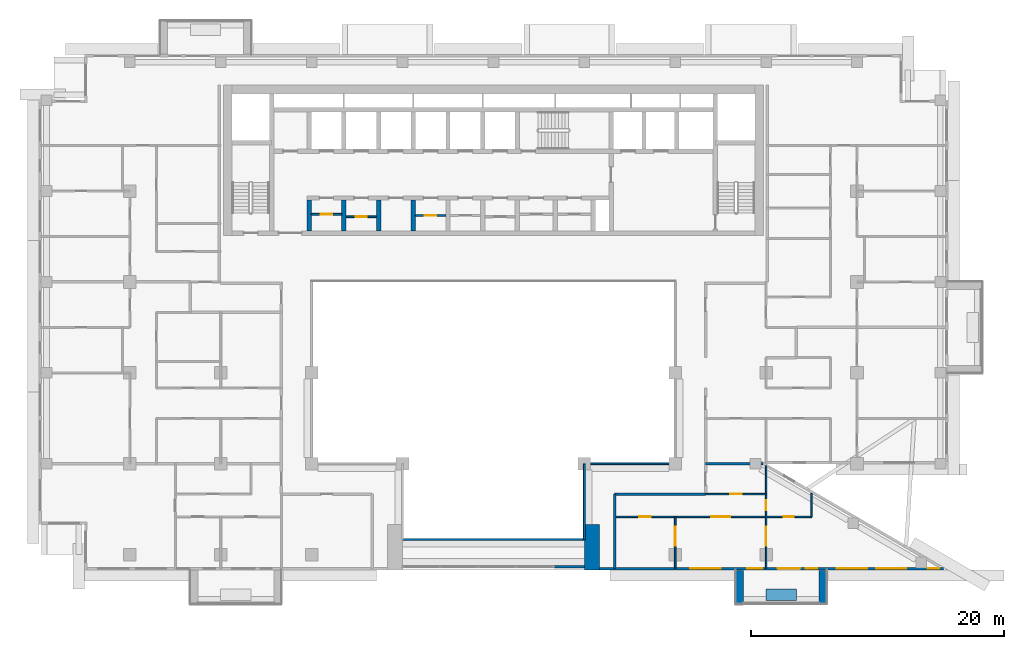
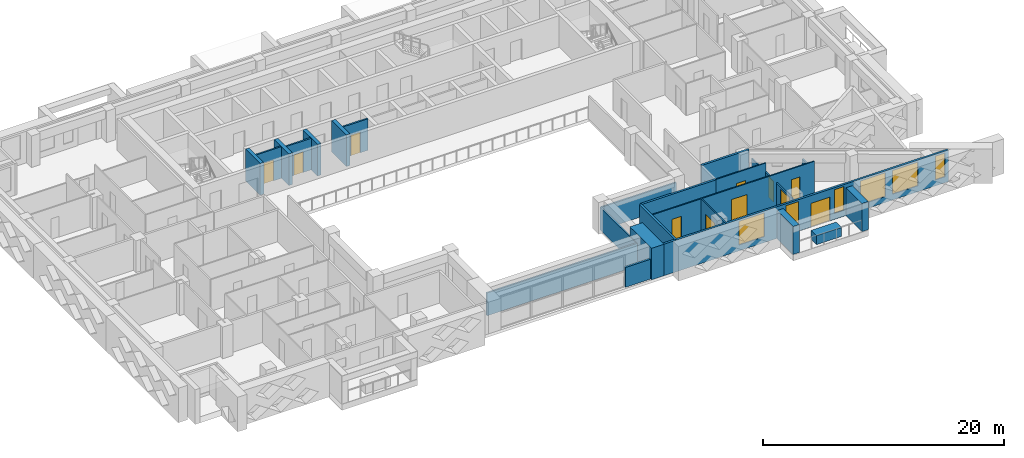
# One storey, part 8 of 20: 24 walls, 11 doors, 6 windows, 17 openings.
"""IFC4 building model written with IfcOpenShell, lengths in metres."""

from ifc_helpers import new_model, si_unit, direction, frame, frame_2d, origin, place, context, subcontext, project, spatial, rectangle, extrude, material, layer, layer_set, type_object, element, fill, save


model = new_model("IFC4")

# Units and contexts
model_context = context("Model", 3, precision=1e-05, world=origin(), true_north=direction((0.0, 1.0)))
body_context = subcontext(model_context, "Body", "Model", "MODEL_VIEW")
ifc_project = project(units=[si_unit("LENGTHUNIT", "METRE"), si_unit("AREAUNIT", "SQUARE_METRE"), si_unit("VOLUMEUNIT", "CUBIC_METRE"), si_unit("PLANEANGLEUNIT", "RADIAN"), si_unit("MASSUNIT", "GRAM", prefix="KILO")], contexts=[model_context])

# Site, building, storey
site_placement = place(None, origin())
site = spatial("IfcSite", under=ifc_project, at=site_placement, CompositionType="ELEMENT")
building_placement = place(site_placement, origin())
building = spatial("IfcBuilding", under=site, at=building_placement, Name="Saffron Iwan Residences", CompositionType="ELEMENT")
storey_placement = place(building_placement, frame((0.0, 0.0, 146.5)))
storey = spatial("IfcBuildingStorey", under=building, at=storey_placement, Name="L38", CompositionType="ELEMENT", Elevation=146.5)

# Walls
ifc_material_1 = material(Name="Fire-rated glazing", Category="glass")
ifc_layer_1 = layer(ifc_material_1, 0.14990234375)
ifc_layer_set_1 = layer_set([ifc_layer_1], Name="Fire-rated glazing")
wall_type_1 = type_object("IfcWallType", Name="Atrium glazed screen 150", PredefinedType="SOLIDWALL", material=ifc_layer_set_1)
wall_1_placement = place(storey_placement, frame((43.199951171875, 42.0, 0.0), z_axis=(0.0, 0.0, 1.0), x_axis=(1.0, 0.0, 0.0)))
element("IfcWall", 1, at=wall_1_placement, inside=storey, type_object=wall_type_1, Name="W-L38-SCREEN-h42-43.2", PredefinedType="SOLIDWALL", context=body_context, shape_type="SweptSolid", body=[
    extrude(rectangle(XDim=14.400146484375, YDim=0.14990234375, at=frame_2d((7.2001953125, 0.0))), origin(), (0.0, 0.0, 1.0), 2.300048828125),
])
wall_2_placement = place(storey_placement, frame((57.60009765625, 48.0, 0.0), z_axis=(0.0, 0.0, 1.0), x_axis=(1.0, 0.0, 0.0)))
element("IfcWall", 2, at=wall_2_placement, inside=storey, type_object=wall_type_1, Name="W-L38-SCREEN-h48-57.6", PredefinedType="SOLIDWALL", context=body_context, shape_type="SweptSolid", body=[
    extrude(rectangle(XDim=7.199951171875, YDim=0.14990234375, at=frame_2d((3.60009765625, 0.0))), origin(), (0.0, 0.0, 1.0), 2.300048828125),
])
wall_3_placement = place(storey_placement, frame((57.60009765625, 42.0, 0.0), z_axis=(0.0, 0.0, 1.0), x_axis=(0.0, 1.0, 0.0)))
element("IfcWall", 3, at=wall_3_placement, inside=storey, type_object=wall_type_1, Name="W-L38-SCREEN-v57.6-42", PredefinedType="SOLIDWALL", context=body_context, shape_type="SweptSolid", body=[
    extrude(rectangle(XDim=6.0, YDim=0.14990234375, at=frame_2d((3.0, 0.0))), origin(), (0.0, 0.0, 1.0), 2.300048828125),
])
ifc_material_2 = material(Name="Concrete C50/60 white painted", Category="concrete")
ifc_layer_2 = layer(ifc_material_2, 0.60009765625)
ifc_layer_set_2 = layer_set([ifc_layer_2], Name="Concrete C50/60 white painted")
wall_type_2 = type_object("IfcWallType", Name="BALCONY FIN 600", PredefinedType="SOLIDWALL", material=ifc_layer_set_2)
for number, where, z_axis, x_axis, name in (
    (4, (69.89990234375, 39.550048828125, 0.0), (0.0, 0.0, 1.0), (0.0, -1.0, 0.0), "Balcony fin L38 11-1a"),
    (5, (76.5, 39.550048828125, 0.0), (0.0, 0.0, 1.0), (0.0, -1.0, 0.0), "Balcony fin L38 11-1b"),
):
    element("IfcWall", number, at=place(storey_placement, frame(where, z_axis=z_axis, x_axis=x_axis)), inside=storey, type_object=wall_type_2, Name=name, PredefinedType="SOLIDWALL", context=body_context, shape_type="SweptSolid", body=[
        extrude(rectangle(XDim=2.650146484375, YDim=0.60009765625, at=frame_2d((1.3251953125, 0.0))), origin(), (0.0, 0.0, 1.0), 2.85009765625),
    ])
ifc_material_3 = material(Name="Concrete C35/45 white painted", Category="concrete")
ifc_layer_3 = layer(ifc_material_3, 0.14990234375)
ifc_layer_set_3 = layer_set([ifc_layer_3], Name="Concrete C35/45 white painted")
wall_type_3 = type_object("IfcWallType", Name="BALCONY PLANTER", PredefinedType="SOLIDWALL", material=ifc_layer_set_3)
wall_4_placement = place(storey_placement, frame((72.0, 37.625, 0.0), z_axis=(0.0, 0.0, 1.0), x_axis=(1.0, 0.0, 0.0)))
element("IfcWall", 6, at=wall_4_placement, inside=storey, type_object=wall_type_3, Name="PLANTER L38 11-1", PredefinedType="SOLIDWALL", context=body_context, shape_type="SweptSolid", body=[
    extrude(rectangle(XDim=2.39990234375, YDim=0.89990234375, at=frame_2d((1.199951171875, 0.0))), origin(), (0.0, 0.0, 1.0), 0.89990234375),
])

# Wall, opening, door
ifc_material_4 = material(Name="Fire-rated plasterboard partition")
ifc_layer_4 = layer(ifc_material_4, 0.14990234375)
ifc_layer_set_4 = layer_set([ifc_layer_4], Name="Fire-rated plasterboard partition")
wall_type_4 = type_object("IfcWallType", Name="Core partition 150", PredefinedType="PARTITIONING", material=ifc_layer_set_4)
wall_5_placement = place(storey_placement, frame((35.97509765625, 67.759521484375, 0.0), z_axis=(0.0, 0.0, 1.0), x_axis=(1.0, 0.0, 0.0)))
wall_5 = element("IfcWall", 7, at=wall_5_placement, inside=storey, type_object=wall_type_4, Name="Core partition P01", PredefinedType="PARTITIONING", context=body_context, shape_type="SweptSolid", body=[
    extrude(rectangle(XDim=2.39990234375, YDim=0.14990234375, at=frame_2d((1.199951171875, 0.0))), origin(), (0.0, 0.0, 1.0), 3.199951171875),
])
opening_1_placement = place(wall_5_placement, frame((0.75, 0.0, 0.0)))
opening_1 = element("IfcOpeningElement", 8, at=opening_1_placement, cuts=wall_5, Name="Opening SB", PredefinedType="OPENING", context=body_context, shape_type="SweptSolid", body=[
    extrude(rectangle(XDim=0.89990234375, YDim=2.10009765625, at=frame_2d((0.449951171875, 1.050048828125))), frame((0.0, 0.0849609375, 0.0), z_axis=(0.0, -1.0, 0.0), x_axis=(1.0, 0.0, 0.0)), (0.0, 0.0, 1.0), 0.169921875),
])
ifc_material_5 = material(Name="Steel fire door", Category="steel")
door_type_1 = type_object("IfcDoorType", Name="Store door 900", OperationType="NOTDEFINED", PredefinedType="DOOR", material=ifc_material_5)
door_1_placement = place(opening_1_placement, origin())
door_1 = element("IfcDoor", 9, at=door_1_placement, inside=storey, type_object=door_type_1, Name="Door Stationery store", OperationType="SINGLE_SWING_LEFT", OverallHeight=2.10009765625, OverallWidth=0.89990234375, PredefinedType="DOOR", context=body_context, shape_type="SweptSolid", body=[
    extrude(rectangle(XDim=0.89990234375, YDim=2.10009765625, at=frame_2d((0.449951171875, 1.050048828125))), frame((0.0, 0.02490234375, 0.0), z_axis=(0.0, -1.0, 0.0), x_axis=(1.0, 0.0, 0.0)), (0.0, 0.0, 1.0), 0.050048828125),
])
fill(opening_1, door_1)

wall_6_placement = place(storey_placement, frame((38.72509765625, 67.5654296875, 0.0), z_axis=(0.0, 0.0, 1.0), x_axis=(1.0, 0.0, 0.0)))
wall_6 = element("IfcWall", 10, at=wall_6_placement, inside=storey, type_object=wall_type_4, Name="Core partition P02", PredefinedType="PARTITIONING", context=body_context, shape_type="SweptSolid", body=[
    extrude(rectangle(XDim=2.39990234375, YDim=0.14990234375, at=frame_2d((1.199951171875, 0.0))), origin(), (0.0, 0.0, 1.0), 3.199951171875),
])
opening_2_placement = place(wall_6_placement, frame((0.75, 0.0, 0.0)))
opening_2 = element("IfcOpeningElement", 11, at=opening_2_placement, cuts=wall_6, Name="Opening SB", PredefinedType="OPENING", context=body_context, shape_type="SweptSolid", body=[
    extrude(rectangle(XDim=0.89990234375, YDim=2.10009765625, at=frame_2d((0.449951171875, 1.050048828125))), frame((0.0, 0.0849609375, 0.0), z_axis=(0.0, -1.0, 0.0), x_axis=(1.0, 0.0, 0.0)), (0.0, 0.0, 1.0), 0.169921875),
])
door_2_placement = place(opening_2_placement, origin())
door_2 = element("IfcDoor", 12, at=door_2_placement, inside=storey, type_object=door_type_1, Name="Door Tool store", OperationType="SINGLE_SWING_LEFT", OverallHeight=2.10009765625, OverallWidth=0.89990234375, PredefinedType="DOOR", context=body_context, shape_type="SweptSolid", body=[
    extrude(rectangle(XDim=0.89990234375, YDim=2.10009765625, at=frame_2d((0.449951171875, 1.050048828125))), frame((0.0, 0.02490234375, 0.0), z_axis=(0.0, -1.0, 0.0), x_axis=(1.0, 0.0, 0.0)), (0.0, 0.0, 1.0), 0.050048828125),
])
fill(opening_2, door_2)

wall_7_placement = place(storey_placement, frame((44.22509765625, 67.66259765625, 0.0), z_axis=(0.0, 0.0, 1.0), x_axis=(1.0, 0.0, 0.0)))
wall_7 = element("IfcWall", 13, at=wall_7_placement, inside=storey, type_object=wall_type_4, Name="Core partition P03", PredefinedType="PARTITIONING", context=body_context, shape_type="SweptSolid", body=[
    extrude(rectangle(XDim=2.39990234375, YDim=0.14990234375, at=frame_2d((1.199951171875, 0.0))), origin(), (0.0, 0.0, 1.0), 3.199951171875),
])
opening_3_placement = place(wall_7_placement, frame((0.75, 0.0, 0.0)))
opening_3 = element("IfcOpeningElement", 14, at=opening_3_placement, cuts=wall_7, Name="Opening SB", PredefinedType="OPENING", context=body_context, shape_type="SweptSolid", body=[
    extrude(rectangle(XDim=0.89990234375, YDim=2.10009765625, at=frame_2d((0.449951171875, 1.050048828125))), frame((0.0, 0.0849609375, 0.0), z_axis=(0.0, -1.0, 0.0), x_axis=(1.0, 0.0, 0.0)), (0.0, 0.0, 1.0), 0.169921875),
])
door_3_placement = place(opening_3_placement, origin())
door_3 = element("IfcDoor", 15, at=door_3_placement, inside=storey, type_object=door_type_1, Name="Door Equipment store", OperationType="SINGLE_SWING_LEFT", OverallHeight=2.10009765625, OverallWidth=0.89990234375, PredefinedType="DOOR", context=body_context, shape_type="SweptSolid", body=[
    extrude(rectangle(XDim=0.89990234375, YDim=2.10009765625, at=frame_2d((0.449951171875, 1.050048828125))), frame((0.0, 0.02490234375, 0.0), z_axis=(0.0, -1.0, 0.0), x_axis=(1.0, 0.0, 0.0)), (0.0, 0.0, 1.0), 0.050048828125),
])
fill(opening_3, door_3)

# Wall, openings, door, windows
ifc_material_6 = material(Name="Concrete C40/50", Category="concrete")
ifc_layer_5 = layer(ifc_material_6, 0.199951171875)
ifc_layer_set_5 = layer_set([ifc_layer_5], Name="Concrete C40/50")
wall_type_5 = type_object("IfcWallType", Name="EXTERNAL WALL 200", PredefinedType="SOLIDWALL", material=ifc_layer_set_5)
wall_8_placement = place(storey_placement, frame((58.800048828125, 39.699951171875, 0.0), z_axis=(0.0, 0.0, 1.0), x_axis=(1.0, 0.0, 0.0)))
wall_8 = element("IfcWall", 16, at=wall_8_placement, inside=storey, type_object=wall_type_5, Name="External wall L38 F11.1", PredefinedType="SOLIDWALL", context=body_context, shape_type="SweptSolid", body=[
    extrude(rectangle(XDim=27.22998046875, YDim=0.199951171875, at=frame_2d((13.614990234375, 0.0))), origin(), (0.0, 0.0, 1.0), 3.199951171875),
])
opening_4_placement = place(wall_8_placement, frame((14.10009765625, 0.0, 0.0)))
opening_4 = element("IfcOpeningElement", 17, at=opening_4_placement, cuts=wall_8, Name="Opening BD1", PredefinedType="OPENING", context=body_context, shape_type="SweptSolid", body=[
    extrude(rectangle(XDim=1.800048828125, YDim=2.39990234375, at=frame_2d((0.89990234375, 1.199951171875))), frame((0.0, 0.10986328125, 0.0), z_axis=(0.0, -1.0, 0.0), x_axis=(1.0, 0.0, 0.0)), (0.0, 0.0, 1.0), 0.219970703125),
])
opening_5_placement = place(wall_8_placement, frame((7.199951171875, 0.0, 0.60009765625)))
opening_5 = element("IfcOpeningElement", 18, at=opening_5_placement, cuts=wall_8, Name="Opening W1", PredefinedType="OPENING", context=body_context, shape_type="SweptSolid", body=[
    extrude(rectangle(XDim=2.39990234375, YDim=2.39990234375, at=frame_2d((1.199951171875, 1.199951171875))), frame((0.0, 0.10986328125, 0.0), z_axis=(0.0, -1.0, 0.0), x_axis=(1.0, 0.0, 0.0)), (0.0, 0.0, 1.0), 0.219970703125),
])
opening_6_placement = place(wall_8_placement, frame((11.699951171875, 0.0, 0.60009765625)))
opening_6 = element("IfcOpeningElement", 19, at=opening_6_placement, cuts=wall_8, Name="Opening W3", PredefinedType="OPENING", context=body_context, shape_type="SweptSolid", body=[
    extrude(rectangle(XDim=1.199951171875, YDim=2.39990234375, at=frame_2d((0.60009765625, 1.199951171875))), frame((0.0, 0.10986328125, 0.0), z_axis=(0.0, -1.0, 0.0), x_axis=(1.0, 0.0, 0.0)), (0.0, 0.0, 1.0), 0.219970703125),
])
opening_7_placement = place(wall_8_placement, frame((16.35009765625, 0.0, 0.60009765625)))
opening_7 = element("IfcOpeningElement", 20, at=opening_7_placement, cuts=wall_8, Name="Opening W10", PredefinedType="OPENING", context=body_context, shape_type="SweptSolid", body=[
    extrude(rectangle(XDim=0.89990234375, YDim=2.39990234375, at=frame_2d((0.449951171875, 1.199951171875))), frame((0.0, 0.10986328125, 0.0), z_axis=(0.0, -1.0, 0.0), x_axis=(1.0, 0.0, 0.0)), (0.0, 0.0, 1.0), 0.219970703125),
])
opening_8_placement = place(wall_8_placement, frame((18.80029296875, 0.0, 0.60009765625)))
opening_8 = element("IfcOpeningElement", 21, at=opening_8_placement, cuts=wall_8, Name="Opening W1", PredefinedType="OPENING", context=body_context, shape_type="SweptSolid", body=[
    extrude(rectangle(XDim=2.39990234375, YDim=2.39990234375, at=frame_2d((1.199951171875, 1.199951171875))), frame((0.0, 0.10986328125, 0.0), z_axis=(0.0, -1.0, 0.0), x_axis=(1.0, 0.0, 0.0)), (0.0, 0.0, 1.0), 0.219970703125),
])
opening_9_placement = place(wall_8_placement, frame((21.90087890625, 0.0, 0.60009765625)))
opening_9 = element("IfcOpeningElement", 22, at=opening_9_placement, cuts=wall_8, Name="Opening W1", PredefinedType="OPENING", context=body_context, shape_type="SweptSolid", body=[
    extrude(rectangle(XDim=2.39990234375, YDim=2.39990234375, at=frame_2d((1.199951171875, 1.199951171875))), frame((0.0, 0.10986328125, 0.0), z_axis=(0.0, -1.0, 0.0), x_axis=(1.0, 0.0, 0.0)), (0.0, 0.0, 1.0), 0.219970703125),
])
opening_10_placement = place(wall_8_placement, frame((25.990478515625, 0.0, 0.60009765625)))
opening_10 = element("IfcOpeningElement", 23, at=opening_10_placement, cuts=wall_8, Name="Opening W10", PredefinedType="OPENING", context=body_context, shape_type="SweptSolid", body=[
    extrude(rectangle(XDim=0.89990234375, YDim=2.39990234375, at=frame_2d((0.449951171875, 1.199951171875))), frame((0.0, 0.10986328125, 0.0), z_axis=(0.0, -1.0, 0.0), x_axis=(1.0, 0.0, 0.0)), (0.0, 0.0, 1.0), 0.219970703125),
])
ifc_material_7 = material(Name="Clear glass, laminated double glazed", Category="glass")
door_type_2 = type_object("IfcDoorType", Name="BALCONY DOOR 1800 x 2400", OperationType="DOUBLE_DOOR_SLIDING", PredefinedType="DOOR", material=ifc_material_7)
door_4_placement = place(opening_4_placement, origin())
door_4 = element("IfcDoor", 24, at=door_4_placement, inside=storey, type_object=door_type_2, Name="Balcony door L38 F11.0", OperationType="DOUBLE_DOOR_SLIDING", OverallHeight=2.39990234375, OverallWidth=1.800048828125, PredefinedType="DOOR", context=body_context, shape_type="SweptSolid", body=[
    extrude(rectangle(XDim=1.800048828125, YDim=2.39990234375, at=frame_2d((0.89990234375, 1.199951171875))), frame((0.0, 0.02490234375, 0.0), z_axis=(0.0, -1.0, 0.0), x_axis=(1.0, 0.0, 0.0)), (0.0, 0.0, 1.0), 0.050048828125),
])
fill(opening_4, door_4)
window_type_1 = type_object("IfcWindowType", Name="WINDOW 1200 x 2400", PartitioningType="SINGLE_PANEL", PredefinedType="WINDOW", material=ifc_material_7)
window_1_placement = place(opening_6_placement, origin())
window_1 = element("IfcWindow", 25, at=window_1_placement, inside=storey, type_object=window_type_1, Name="Window L38 F11.2", OverallHeight=2.39990234375, OverallWidth=1.199951171875, PartitioningType="SINGLE_PANEL", PredefinedType="WINDOW", context=body_context, shape_type="SweptSolid", body=[
    extrude(rectangle(XDim=1.199951171875, YDim=2.39990234375, at=frame_2d((0.60009765625, 1.199951171875))), frame((0.0, 0.030029296875, 0.0), z_axis=(0.0, -1.0, 0.0), x_axis=(1.0, 0.0, 0.0)), (0.0, 0.0, 1.0), 0.06005859375),
])
fill(opening_6, window_1)
window_type_2 = type_object("IfcWindowType", Name="WINDOW 2400 x 2400", PartitioningType="DOUBLE_PANEL_VERTICAL", PredefinedType="WINDOW", material=ifc_material_7)
window_2_placement = place(opening_5_placement, origin())
window_2 = element("IfcWindow", 26, at=window_2_placement, inside=storey, type_object=window_type_2, Name="Window L38 F11.1", OverallHeight=2.39990234375, OverallWidth=2.39990234375, PartitioningType="DOUBLE_PANEL_VERTICAL", PredefinedType="WINDOW", context=body_context, shape_type="SweptSolid", body=[
    extrude(rectangle(XDim=2.39990234375, YDim=2.39990234375, at=frame_2d((1.199951171875, 1.199951171875))), frame((0.0, 0.030029296875, 0.0), z_axis=(0.0, -1.0, 0.0), x_axis=(1.0, 0.0, 0.0)), (0.0, 0.0, 1.0), 0.06005859375),
])
fill(opening_5, window_2)
window_3_placement = place(opening_8_placement, origin())
window_3 = element("IfcWindow", 27, at=window_3_placement, inside=storey, type_object=window_type_2, Name="Window L38 F11.4", OverallHeight=2.39990234375, OverallWidth=2.39990234375, PartitioningType="DOUBLE_PANEL_VERTICAL", PredefinedType="WINDOW", context=body_context, shape_type="SweptSolid", body=[
    extrude(rectangle(XDim=2.39990234375, YDim=2.39990234375, at=frame_2d((1.199951171875, 1.199951171875))), frame((0.0, 0.030029296875, 0.0), z_axis=(0.0, -1.0, 0.0), x_axis=(1.0, 0.0, 0.0)), (0.0, 0.0, 1.0), 0.06005859375),
])
fill(opening_8, window_3)
window_4_placement = place(opening_9_placement, origin())
window_4 = element("IfcWindow", 28, at=window_4_placement, inside=storey, type_object=window_type_2, Name="Window L38 F11.5", OverallHeight=2.39990234375, OverallWidth=2.39990234375, PartitioningType="DOUBLE_PANEL_VERTICAL", PredefinedType="WINDOW", context=body_context, shape_type="SweptSolid", body=[
    extrude(rectangle(XDim=2.39990234375, YDim=2.39990234375, at=frame_2d((1.199951171875, 1.199951171875))), frame((0.0, 0.030029296875, 0.0), z_axis=(0.0, -1.0, 0.0), x_axis=(1.0, 0.0, 0.0)), (0.0, 0.0, 1.0), 0.06005859375),
])
fill(opening_9, window_4)
window_type_3 = type_object("IfcWindowType", Name="WINDOW 900 x 2400", PartitioningType="SINGLE_PANEL", PredefinedType="WINDOW", material=ifc_material_7)
window_5_placement = place(opening_7_placement, origin())
window_5 = element("IfcWindow", 29, at=window_5_placement, inside=storey, type_object=window_type_3, Name="Window L38 F11.3", OverallHeight=2.39990234375, OverallWidth=0.89990234375, PartitioningType="SINGLE_PANEL", PredefinedType="WINDOW", context=body_context, shape_type="SweptSolid", body=[
    extrude(rectangle(XDim=0.89990234375, YDim=2.39990234375, at=frame_2d((0.449951171875, 1.199951171875))), frame((0.0, 0.030029296875, 0.0), z_axis=(0.0, -1.0, 0.0), x_axis=(1.0, 0.0, 0.0)), (0.0, 0.0, 1.0), 0.06005859375),
])
fill(opening_7, window_5)
window_6_placement = place(opening_10_placement, origin())
window_6 = element("IfcWindow", 30, at=window_6_placement, inside=storey, type_object=window_type_3, Name="Window L38 F11.6", OverallHeight=2.39990234375, OverallWidth=0.89990234375, PartitioningType="SINGLE_PANEL", PredefinedType="WINDOW", context=body_context, shape_type="SweptSolid", body=[
    extrude(rectangle(XDim=0.89990234375, YDim=2.39990234375, at=frame_2d((0.449951171875, 1.199951171875))), frame((0.0, 0.030029296875, 0.0), z_axis=(0.0, -1.0, 0.0), x_axis=(1.0, 0.0, 0.0)), (0.0, 0.0, 1.0), 0.06005859375),
])
fill(opening_10, window_6)

# Walls
wall_9_placement = place(storey_placement, frame((55.199951171875, 39.85009765625, 0.0), z_axis=(0.0, 0.0, 1.0), x_axis=(1.0, 0.0, 0.0)))
element("IfcWall", 31, at=wall_9_placement, inside=storey, type_object=wall_type_5, Name="External wall infill CWB-L38-0", PredefinedType="SOLIDWALL", context=body_context, shape_type="SweptSolid", body=[
    extrude(rectangle(XDim=2.400146484375, YDim=0.199951171875, at=frame_2d((1.2001953125, 0.0))), origin(), (0.0, 0.0, 1.0), 2.0),
])
ifc_material_8 = material(Name="Fire-rated gypsum board wall")
ifc_layer_6 = layer(ifc_material_8, 0.199951171875)
ifc_layer_set_6 = layer_set([ifc_layer_6], Name="Fire-rated gypsum board wall")
wall_type_6 = type_object("IfcWallType", Name="Flat demising wall 200", PredefinedType="SOLIDWALL", material=ifc_layer_set_6)
wall_10_placement = place(storey_placement, frame((67.199951171875, 48.0, 0.0), z_axis=(0.0, 0.0, 1.0), x_axis=(1.0, 0.0, 0.0)))
element("IfcWall", 32, at=wall_10_placement, inside=storey, type_object=wall_type_6, Name="W-L38-DEMISE-h48-67.2", PredefinedType="SOLIDWALL", context=body_context, shape_type="SweptSolid", body=[
    extrude(rectangle(XDim=4.552001953125, YDim=0.199951171875, at=frame_2d((2.27587890625, 0.0))), origin(), (0.0, 0.0, 1.0), 3.199951171875),
])

# Wall, openings, doors
ifc_material_9 = material(Name="Gypsum board partition")
ifc_layer_7 = layer(ifc_material_9, 0.1201171875)
ifc_layer_set_7 = layer_set([ifc_layer_7], Name="Gypsum board partition")
wall_type_7 = type_object("IfcWallType", Name="Flat partition 120", PredefinedType="PARTITIONING", material=ifc_layer_set_7)
wall_11_placement = place(storey_placement, frame((60.0, 43.800048828125, 0.0), z_axis=(0.0, 0.0, 1.0), x_axis=(1.0, 0.0, 0.0)))
wall_11 = element("IfcWall", 33, at=wall_11_placement, inside=storey, type_object=wall_type_7, Name="W-L38-PART-h43.8-60", PredefinedType="PARTITIONING", context=body_context, shape_type="SweptSolid", body=[
    extrude(rectangle(XDim=15.60009765625, YDim=0.1201171875, at=frame_2d((7.800048828125, 0.0))), origin(), (0.0, 0.0, 1.0), 3.199951171875),
])
opening_11_placement = place(wall_11_placement, frame((7.64990234375, 0.0, 0.0)))
opening_11 = element("IfcOpeningElement", 34, at=opening_11_placement, cuts=wall_11, Name="Opening FD4", PredefinedType="OPENING", context=body_context, shape_type="SweptSolid", body=[
    extrude(rectangle(XDim=1.5, YDim=2.10009765625, at=frame_2d((0.75, 1.050048828125))), frame((0.0, 0.070068359375, 0.0), z_axis=(0.0, -1.0, 0.0), x_axis=(1.0, 0.0, 0.0)), (0.0, 0.0, 1.0), 0.14013671875),
])
opening_12_placement = place(wall_11_placement, frame((1.949951171875, 0.0, 0.0)))
opening_12 = element("IfcOpeningElement", 35, at=opening_12_placement, cuts=wall_11, Name="Opening FD2", PredefinedType="OPENING", context=body_context, shape_type="SweptSolid", body=[
    extrude(rectangle(XDim=0.89990234375, YDim=2.10009765625, at=frame_2d((0.449951171875, 1.050048828125))), frame((0.0, 0.070068359375, 0.0), z_axis=(0.0, -1.0, 0.0), x_axis=(1.0, 0.0, 0.0)), (0.0, 0.0, 1.0), 0.14013671875),
])
opening_13_placement = place(wall_11_placement, frame((13.39990234375, 0.0, 0.0)))
opening_13 = element("IfcOpeningElement", 36, at=opening_13_placement, cuts=wall_11, Name="Opening FD3", PredefinedType="OPENING", context=body_context, shape_type="SweptSolid", body=[
    extrude(rectangle(XDim=0.800048828125, YDim=2.10009765625, at=frame_2d((0.39990234375, 1.050048828125))), frame((0.0, 0.070068359375, 0.0), z_axis=(0.0, -1.0, 0.0), x_axis=(1.0, 0.0, 0.0)), (0.0, 0.0, 1.0), 0.14013671875),
])
ifc_material_10 = material(Name="Timber door", Category="wood")
door_type_3 = type_object("IfcDoorType", Name="Bathroom door 800", OperationType="NOTDEFINED", PredefinedType="DOOR", material=ifc_material_10)
door_5_placement = place(opening_13_placement, origin())
door_5 = element("IfcDoor", 37, at=door_5_placement, inside=storey, type_object=door_type_3, Name="Door L38-048", OperationType="SINGLE_SWING_LEFT", OverallHeight=2.10009765625, OverallWidth=0.800048828125, PredefinedType="DOOR", context=body_context, shape_type="SweptSolid", body=[
    extrude(rectangle(XDim=0.800048828125, YDim=2.10009765625, at=frame_2d((0.39990234375, 1.050048828125))), frame((0.0, 0.02490234375, 0.0), z_axis=(0.0, -1.0, 0.0), x_axis=(1.0, 0.0, 0.0)), (0.0, 0.0, 1.0), 0.050048828125),
])
fill(opening_13, door_5)
door_type_4 = type_object("IfcDoorType", Name="Double door 1500", OperationType="NOTDEFINED", PredefinedType="DOOR", material=ifc_material_10)
door_6_placement = place(opening_11_placement, origin())
door_6 = element("IfcDoor", 38, at=door_6_placement, inside=storey, type_object=door_type_4, Name="Door L38-044", OperationType="SINGLE_SWING_RIGHT", OverallHeight=2.10009765625, OverallWidth=1.5, PredefinedType="DOOR", context=body_context, shape_type="SweptSolid", body=[
    extrude(rectangle(XDim=1.5, YDim=2.10009765625, at=frame_2d((0.75, 1.050048828125))), frame((0.0, 0.02490234375, 0.0), z_axis=(0.0, -1.0, 0.0), x_axis=(1.0, 0.0, 0.0)), (0.0, 0.0, 1.0), 0.050048828125),
])
fill(opening_11, door_6)
door_type_5 = type_object("IfcDoorType", Name="Flat door 900", OperationType="NOTDEFINED", PredefinedType="DOOR", material=ifc_material_10)
door_7_placement = place(opening_12_placement, origin())
door_7 = element("IfcDoor", 39, at=door_7_placement, inside=storey, type_object=door_type_5, Name="Door L38-045", OperationType="SINGLE_SWING_LEFT", OverallHeight=2.10009765625, OverallWidth=0.89990234375, PredefinedType="DOOR", context=body_context, shape_type="SweptSolid", body=[
    extrude(rectangle(XDim=0.89990234375, YDim=2.10009765625, at=frame_2d((0.449951171875, 1.050048828125))), frame((0.0, 0.02490234375, 0.0), z_axis=(0.0, -1.0, 0.0), x_axis=(1.0, 0.0, 0.0)), (0.0, 0.0, 1.0), 0.050048828125),
])
fill(opening_12, door_7)

# Wall, opening, door
wall_12_placement = place(storey_placement, frame((67.199951171875, 45.60009765625, 0.0), z_axis=(0.0, 0.0, 1.0), x_axis=(1.0, 0.0, 0.0)))
wall_12 = element("IfcWall", 40, at=wall_12_placement, inside=storey, type_object=wall_type_7, Name="W-L38-PART-h45.6-67.2", PredefinedType="PARTITIONING", context=body_context, shape_type="SweptSolid", body=[
    extrude(rectangle(XDim=4.800048828125, YDim=0.1201171875, at=frame_2d((2.39990234375, 0.0))), origin(), (0.0, 0.0, 1.0), 3.199951171875),
])
opening_14_placement = place(wall_12_placement, frame((1.949951171875, 0.0, 0.0)))
opening_14 = element("IfcOpeningElement", 41, at=opening_14_placement, cuts=wall_12, Name="Opening FD2", PredefinedType="OPENING", context=body_context, shape_type="SweptSolid", body=[
    extrude(rectangle(XDim=0.89990234375, YDim=2.10009765625, at=frame_2d((0.449951171875, 1.050048828125))), frame((0.0, 0.070068359375, 0.0), z_axis=(0.0, -1.0, 0.0), x_axis=(1.0, 0.0, 0.0)), (0.0, 0.0, 1.0), 0.14013671875),
])
door_8_placement = place(opening_14_placement, origin())
door_8 = element("IfcDoor", 42, at=door_8_placement, inside=storey, type_object=door_type_5, Name="Door L38-042", OperationType="SINGLE_SWING_LEFT", OverallHeight=2.10009765625, OverallWidth=0.89990234375, PredefinedType="DOOR", context=body_context, shape_type="SweptSolid", body=[
    extrude(rectangle(XDim=0.89990234375, YDim=2.10009765625, at=frame_2d((0.449951171875, 1.050048828125))), frame((0.0, 0.02490234375, 0.0), z_axis=(0.0, -1.0, 0.0), x_axis=(1.0, 0.0, 0.0)), (0.0, 0.0, 1.0), 0.050048828125),
])
fill(opening_14, door_8)

wall_13_placement = place(storey_placement, frame((64.800048828125, 39.72509765625, 0.0), z_axis=(0.0, 0.0, 1.0), x_axis=(0.0, 1.0, 0.0)))
wall_13 = element("IfcWall", 43, at=wall_13_placement, inside=storey, type_object=wall_type_7, Name="W-L38-PART-v64.8-39.725", PredefinedType="PARTITIONING", context=body_context, shape_type="SweptSolid", body=[
    extrude(rectangle(XDim=4.074951171875, YDim=0.1201171875, at=frame_2d((2.03759765625, 0.0))), origin(), (0.0, 0.0, 1.0), 3.199951171875),
])
opening_15_placement = place(wall_13_placement, frame((1.78759765625, 0.0, 0.0)))
opening_15 = element("IfcOpeningElement", 44, at=opening_15_placement, cuts=wall_13, Name="Opening FD4", PredefinedType="OPENING", context=body_context, shape_type="SweptSolid", body=[
    extrude(rectangle(XDim=1.5, YDim=2.10009765625, at=frame_2d((0.75, 1.050048828125))), frame((0.0, 0.070068359375, 0.0), z_axis=(0.0, -1.0, 0.0), x_axis=(1.0, 0.0, 0.0)), (0.0, 0.0, 1.0), 0.14013671875),
])
door_9_placement = place(opening_15_placement, origin())
door_9 = element("IfcDoor", 45, at=door_9_placement, inside=storey, type_object=door_type_4, Name="Door L38-041", OperationType="SINGLE_SWING_LEFT", OverallHeight=2.10009765625, OverallWidth=1.5, PredefinedType="DOOR", context=body_context, shape_type="SweptSolid", body=[
    extrude(rectangle(XDim=1.5, YDim=2.10009765625, at=frame_2d((0.75, 1.050048828125))), frame((0.0, 0.02490234375, 0.0), z_axis=(0.0, -1.0, 0.0), x_axis=(1.0, 0.0, 0.0)), (0.0, 0.0, 1.0), 0.050048828125),
])
fill(opening_15, door_9)

# Wall, openings, doors
wall_14_placement = place(storey_placement, frame((72.0, 39.72509765625, 0.0), z_axis=(0.0, 0.0, 1.0), x_axis=(0.0, 1.0, 0.0)))
wall_14 = element("IfcWall", 46, at=wall_14_placement, inside=storey, type_object=wall_type_7, Name="W-L38-PART-v72-39.725", PredefinedType="PARTITIONING", context=body_context, shape_type="SweptSolid", body=[
    extrude(rectangle(XDim=8.1298828125, YDim=0.1201171875, at=frame_2d((4.06494140625, 0.0))), origin(), (0.0, 0.0, 1.0), 2.300048828125),
])
opening_16_placement = place(wall_14_placement, frame((1.78759765625, 0.0, 0.0)))
opening_16 = element("IfcOpeningElement", 47, at=opening_16_placement, cuts=wall_14, Name="Opening FD4", PredefinedType="OPENING", context=body_context, shape_type="SweptSolid", body=[
    extrude(rectangle(XDim=1.5, YDim=2.10009765625, at=frame_2d((0.75, 1.050048828125))), frame((0.0, 0.070068359375, 0.0), z_axis=(0.0, -1.0, 0.0), x_axis=(1.0, 0.0, 0.0)), (0.0, 0.0, 1.0), 0.14013671875),
])
opening_17_placement = place(wall_14_placement, frame((4.574951171875, 0.0, 0.0)))
opening_17 = element("IfcOpeningElement", 48, at=opening_17_placement, cuts=wall_14, Name="Opening FD3", PredefinedType="OPENING", context=body_context, shape_type="SweptSolid", body=[
    extrude(rectangle(XDim=0.800048828125, YDim=2.10009765625, at=frame_2d((0.39990234375, 1.050048828125))), frame((0.0, 0.070068359375, 0.0), z_axis=(0.0, -1.0, 0.0), x_axis=(1.0, 0.0, 0.0)), (0.0, 0.0, 1.0), 0.14013671875),
])
door_10_placement = place(opening_17_placement, origin())
door_10 = element("IfcDoor", 49, at=door_10_placement, inside=storey, type_object=door_type_3, Name="Door L38-047", OperationType="SINGLE_SWING_RIGHT", OverallHeight=2.10009765625, OverallWidth=0.800048828125, PredefinedType="DOOR", context=body_context, shape_type="SweptSolid", body=[
    extrude(rectangle(XDim=0.800048828125, YDim=2.10009765625, at=frame_2d((0.39990234375, 1.050048828125))), frame((0.0, 0.02490234375, 0.0), z_axis=(0.0, -1.0, 0.0), x_axis=(1.0, 0.0, 0.0)), (0.0, 0.0, 1.0), 0.050048828125),
])
fill(opening_17, door_10)
door_11_placement = place(opening_16_placement, origin())
door_11 = element("IfcDoor", 50, at=door_11_placement, inside=storey, type_object=door_type_4, Name="Door L38-046", OperationType="SINGLE_SWING_RIGHT", OverallHeight=2.10009765625, OverallWidth=1.5, PredefinedType="DOOR", context=body_context, shape_type="SweptSolid", body=[
    extrude(rectangle(XDim=1.5, YDim=2.10009765625, at=frame_2d((0.75, 1.050048828125))), frame((0.0, 0.02490234375, 0.0), z_axis=(0.0, -1.0, 0.0), x_axis=(1.0, 0.0, 0.0)), (0.0, 0.0, 1.0), 0.050048828125),
])
fill(opening_16, door_11)

# Walls
wall_15_placement = place(storey_placement, frame((75.60009765625, 43.800048828125, 0.0), z_axis=(0.0, 0.0, 1.0), x_axis=(0.0, 1.0, 0.0)))
element("IfcWall", 51, at=wall_15_placement, inside=storey, type_object=wall_type_7, Name="W-L38-PART-v75.6-43.8", PredefinedType="PARTITIONING", context=body_context, shape_type="SweptSolid", body=[
    extrude(rectangle(XDim=1.868408203125, YDim=0.1201171875, at=frame_2d((0.93408203125, 0.0))), origin(), (0.0, 0.0, 1.0), 2.300048828125),
])
ifc_layer_8 = layer(ifc_material_8, 0.199951171875)
ifc_layer_set_8 = layer_set([ifc_layer_8], Name="Fire-rated gypsum board wall")
wall_type_8 = type_object("IfcWallType", Name="Gallery wall 200", PredefinedType="SOLIDWALL", material=ifc_layer_set_8)
wall_16_placement = place(storey_placement, frame((60.0, 45.60009765625, 0.0), z_axis=(0.0, 0.0, 1.0), x_axis=(1.0, 0.0, 0.0)))
element("IfcWall", 52, at=wall_16_placement, inside=storey, type_object=wall_type_8, Name="W-L38-CORR-h45.6-60", PredefinedType="SOLIDWALL", context=body_context, shape_type="SweptSolid", body=[
    extrude(rectangle(XDim=7.199951171875, YDim=0.199951171875, at=frame_2d((3.60009765625, 0.0))), origin(), (0.0, 0.0, 1.0), 3.199951171875),
])
wall_17_placement = place(storey_placement, frame((60.0, 39.72509765625, 0.0), z_axis=(0.0, 0.0, 1.0), x_axis=(0.0, 1.0, 0.0)))
element("IfcWall", 53, at=wall_17_placement, inside=storey, type_object=wall_type_8, Name="W-L38-CORR-v60-39.725", PredefinedType="SOLIDWALL", context=body_context, shape_type="SweptSolid", body=[
    extrude(rectangle(XDim=5.875, YDim=0.199951171875, at=frame_2d((2.9375, 0.0))), origin(), (0.0, 0.0, 1.0), 3.199951171875),
])
ifc_material_11 = material(Name="Concrete C50/60", Category="concrete")
ifc_layer_9 = layer(ifc_material_11, 0.35009765625)
ifc_layer_set_9 = layer_set([ifc_layer_9], Name="Concrete C50/60")
wall_type_9 = type_object("IfcWallType", Name="WALL CORE 350 C50/60 3200 HIGH", PredefinedType="SHEAR", material=ifc_layer_set_9)
for number, where, z_axis, x_axis, name in (
    (54, (35.800048828125, 66.449951171875, 0.0), (0.0, 0.0, 1.0), (0.0, 1.0, 0.0), "Core wall"),
    (55, (38.550048828125, 66.449951171875, 0.0), (0.0, 0.0, 1.0), (0.0, 1.0, 0.0), "Core wall"),
    (56, (41.300048828125, 66.449951171875, 0.0), (0.0, 0.0, 1.0), (0.0, 1.0, 0.0), "Core wall"),
    (57, (44.050048828125, 66.449951171875, 0.0), (0.0, 0.0, 1.0), (0.0, 1.0, 0.0), "Core wall"),
):
    element("IfcWall", number, at=place(storey_placement, frame(where, z_axis=z_axis, x_axis=x_axis)), inside=storey, type_object=wall_type_9, Name=name, PredefinedType="SHEAR", context=body_context, shape_type="SweptSolid", body=[
        extrude(rectangle(XDim=2.425048828125, YDim=0.35009765625, at=frame_2d((1.21240234375, 0.0))), origin(), (0.0, 0.0, 1.0), 3.199951171875),
    ])
ifc_layer_10 = layer(ifc_material_11, 1.199951171875)
ifc_layer_set_10 = layer_set([ifc_layer_10], Name="Concrete C50/60")
wall_type_10 = type_object("IfcWallType", Name="WALL IWAN PIER 1200 C50/60 3200 HIGH", PredefinedType="SHEAR", material=ifc_layer_set_10)
wall_18_placement = place(storey_placement, frame((58.199951171875, 39.60009765625, 0.0), z_axis=(0.0, 0.0, 1.0), x_axis=(0.0, 1.0, 0.0)))
element("IfcWall", 58, at=wall_18_placement, inside=storey, type_object=wall_type_10, Name="IWAN PIER", PredefinedType="SHEAR", context=body_context, shape_type="SweptSolid", body=[
    extrude(rectangle(XDim=3.599853515625, YDim=1.199951171875, at=frame_2d((1.7998046875, 0.0))), origin(), (0.0, 0.0, 1.0), 3.199951171875),
])

save(model, "model.ifc")
